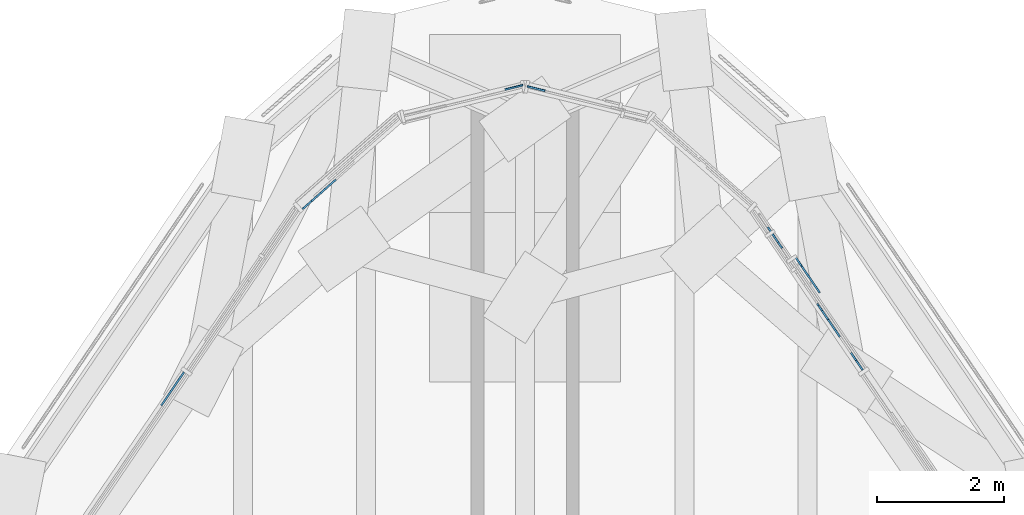
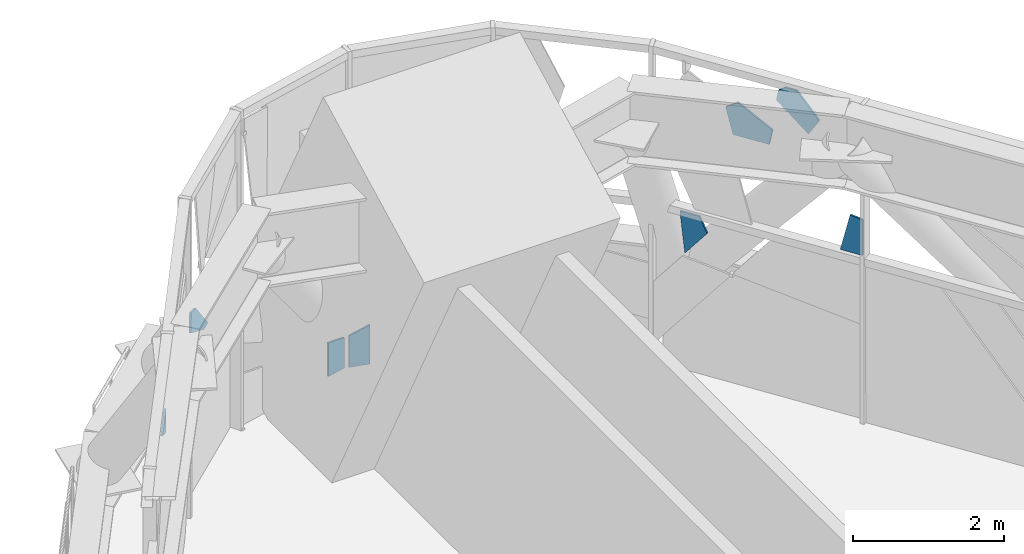
# One storey, part 24 of 43: 8 plates, 3 elements without a shape of their own.
"""IFC4 building model written with IfcOpenShell, lengths in metres."""

from ifc_helpers import new_model, si_unit, direction, frame, origin, place, context, subcontext, project, spatial, polyline, outline, extrude, material, layer, layer_set, type_object, element, aggregate, save


model = new_model("IFC4")

# Units and contexts
model_context = context("Model", 3, precision=1e-05, world=origin(), true_north=direction((0.0, 1.0)))
body_context = subcontext(model_context, "Body", "Model", "MODEL_VIEW")
ifc_project = project(units=[si_unit("LENGTHUNIT", "METRE"), si_unit("AREAUNIT", "SQUARE_METRE"), si_unit("VOLUMEUNIT", "CUBIC_METRE"), si_unit("PLANEANGLEUNIT", "RADIAN"), si_unit("MASSUNIT", "GRAM", prefix="KILO")], contexts=[model_context])

# Site, building, storey
site_placement = place(None, origin())
site = spatial("IfcSite", under=ifc_project, at=site_placement, CompositionType="ELEMENT")
building_placement = place(site_placement, origin())
building = spatial("IfcBuilding", under=site, at=building_placement, Name="Mestral Congress Tower", CompositionType="ELEMENT")
storey_placement = place(building_placement, frame((0.0, 0.0, 78.300048828125)))
storey = spatial("IfcBuildingStorey", under=building, at=storey_placement, Name="L18", CompositionType="ELEMENT", Elevation=78.300048828125)

# Curtain wall, plates
ifc_material_1 = material(Name="Clear low-emissivity double glazing", Category="glass")
curtain_wall_type = type_object("IfcCurtainWallType", Name="Facade refuge band screen", PredefinedType="USERDEFINED", material=ifc_material_1)
placement = place(storey_placement, origin())
curtain_wall_1 = element("IfcCurtainWall", 1, at=placement, inside=storey, type_object=curtain_wall_type, Name="Facade refuge band screen face 2", ObjectType="CURTAIN WALL", PredefinedType="USERDEFINED")
ifc_material_2 = material(Name="Anodised aluminium", Category="aluminium")
ifc_layer_1 = layer(ifc_material_2, 0.028076171875)
ifc_layer_set_1 = layer_set([ifc_layer_1], Name="Anodised aluminium")
plate_type_1 = type_object("IfcPlateType", Name="Facade refuge band screen brace cover panel", PredefinedType="CURTAIN_PANEL", material=ifc_layer_set_1)
plate_1_placement = place(storey_placement, frame((5.31787109375, 32.462890625, 2.659912109375), z_axis=(0.826760605477, 0.562550457566, 0.001970767386), x_axis=(-0.001574604802, -0.001189124141, 0.9999980533)))
plate_1 = element("IfcPlate", 2, at=plate_1_placement, type_object=plate_type_1, Name="Facade refuge band screen brace cover panel", PredefinedType="CURTAIN_PANEL", context=body_context, shape_type="SweptSolid", body=[
    extrude(outline(polyline([(0.0, 0.0), (0.5771497226055866, 1.3552527156068805e-20), (0.59983689539258, -0.18276588353384948), (-3.171680819435963e-05, -0.327540455565466), (0.0, 0.0)])), origin(), (0.0, 0.0, -1.0), 0.028076171875),
])
plate_2_placement = place(storey_placement, frame((4.616943359375, 33.7158203125, 3.93798828125), z_axis=(0.826740871924, 0.562579677659, 0.001907085236), x_axis=(0.105782194242, -0.158780205903, 0.981630772539)))
plate_2 = element("IfcPlate", 3, at=plate_2_placement, type_object=plate_type_1, Name="Facade refuge band screen brace cover panel", PredefinedType="CURTAIN_PANEL", context=body_context, shape_type="SweptSolid", body=[
    extrude(outline(polyline([(0.0, 0.0), (0.25020171086771653, 0.0), (0.44102799821632854, -0.5563229340636028), (0.2806551742664051, -0.7058176194640475), (-0.10147756859673066, -0.5221362762629215), (0.0, 0.0)])), origin(), (0.0, 0.0, -1.0), 0.028076171875),
])
plate_3_placement = place(storey_placement, frame((4.67724609375, 33.395751953125, 5.030029296875), z_axis=(0.826645609124, 0.562719649355, 0.001906081172), x_axis=(-0.454130343836, 0.669118486222, -0.588256816539)))
plate_3 = element("IfcPlate", 4, at=plate_3_placement, type_object=plate_type_1, Name="Facade refuge band screen brace cover panel", PredefinedType="CURTAIN_PANEL", context=body_context, shape_type="SweptSolid", body=[
    extrude(outline(polyline([(0.0, 0.0), (0.1236771672948853, 0.0), (0.24740011256602815, -0.11529382440970352), (0.10610717878053111, -0.7246687130940008), (-0.17450903341539226, -0.6099892799977313), (-0.13640707016227377, -0.09922751562547641), (0.0, 0.0)])), origin(), (0.0, 0.0, -1.0), 0.028076171875),
])

curtain_wall_2 = element("IfcCurtainWall", 5, at=placement, inside=storey, type_object=curtain_wall_type, Name="Facade refuge band screen corner 2", ObjectType="CURTAIN WALL", PredefinedType="USERDEFINED")
plate_4_placement = place(storey_placement, frame((0.03369140625, 36.926025390625, 0.0), z_axis=(0.238557522943, 0.971126349072, 0.001980501115), x_axis=(0.971128253622, -0.238557990889, 4.5565e-08)))
plate_4 = element("IfcPlate", 6, at=plate_4_placement, type_object=plate_type_1, Name="Facade refuge band screen brace cover panel", PredefinedType="CURTAIN_PANEL", context=body_context, shape_type="SweptSolid", body=[
    extrude(outline(polyline([(0.0, 0.0), (0.29061883071278305, -2.710505431213761e-20), (0.2906729761062084, -0.6313488812033357), (-4.102065917941682e-06, -0.504883815917424), (0.0, 0.0)])), origin(), (0.0, 0.0, -1.0), 0.028076171875),
])
plate_5_placement = place(storey_placement, frame((-0.038330078125, 36.944580078125, 0.491943359375), z_axis=(-0.238786288344, 0.97106971516, 0.002171819042), x_axis=(-0.955664400012, -0.235393769106, 0.176904855828)))
plate_5 = element("IfcPlate", 7, at=plate_5_placement, type_object=plate_type_1, Name="Facade refuge band screen brace cover panel", PredefinedType="CURTAIN_PANEL", context=body_context, shape_type="SweptSolid", body=[
    extrude(outline(polyline([(0.0, 0.0), (0.29533518304600226, 6.938893903907228e-18), (0.19901139689222797, -0.5355982029604721), (-0.08702372928945004, -0.48418606840027156), (0.0, 0.0)])), origin(), (0.0, 0.0, -1.0), 0.028076171875),
])
plate_6_placement = place(storey_placement, frame((-3.36865234375, 35.117919921875, 3.231689453125), z_axis=(-0.661524123672, 0.749921170503, 0.002017877967), x_axis=(-0.724329862264, -0.639641740703, 0.257302728675)))
plate_6 = element("IfcPlate", 8, at=plate_6_placement, type_object=plate_type_1, Name="Facade refuge band screen brace cover panel", PredefinedType="CURTAIN_PANEL", context=body_context, shape_type="SweptSolid", body=[
    extrude(outline(polyline([(0.0, 0.0), (0.19546197594235495, 0.0), (0.11083621332345536, -0.3172775640235003), (-0.48602331134243976, -0.4622881534723243), (-0.6416451572328208, -0.42085073705571635), (0.0, 0.0)])), origin(), (0.0, 0.0, -1.0), 0.028076171875),
])
aggregate(curtain_wall_2, [plate_4, plate_5, plate_6])

# Plate
ifc_layer_2 = layer(ifc_material_1, 0.028076171875)
ifc_layer_set_2 = layer_set([ifc_layer_2], Name="Clear low-emissivity double glazing")
plate_type_2 = type_object("IfcPlateType", Name="Facade refuge band screen panel", PredefinedType="CURTAIN_PANEL", material=ifc_layer_set_2)
plate_7_placement = place(storey_placement, frame((4.0517578125, 34.3779296875, 2.29638671875), z_axis=(0.826732619059, 0.562590902157, 0.002157172836), x_axis=(-0.239635343235, 0.348672111817, 0.906091971443)))
plate_7 = element("IfcPlate", 9, at=plate_7_placement, type_object=plate_type_2, Name="Refuge screen glass unit", PredefinedType="CURTAIN_PANEL", context=body_context, shape_type="SweptSolid", body=[
    extrude(outline(polyline([(0.0, 0.0), (0.2689046897099664, 0.0), (0.3900890830199886, -0.2595383132839669), (-0.23785894935008609, -0.4721644001917516), (0.0, 0.0)])), origin(), (0.0, 0.0, -1.0), 0.028076171875),
])

aggregate(curtain_wall_1, [plate_7, plate_1, plate_2, plate_3])

# Curtain wall, plate
curtain_wall_3 = element("IfcCurtainWall", 10, at=placement, inside=storey, type_object=curtain_wall_type, Name="Facade refuge band screen face 3", ObjectType="CURTAIN WALL", PredefinedType="USERDEFINED")
plate_8_placement = place(storey_placement, frame((-5.730712890625, 31.905029296875, 3.93798828125), z_axis=(-0.826673293276, 0.562677393092, 0.002327549817), x_axis=(0.4821475377, 0.710480963241, -0.512591994439)))
plate_8 = element("IfcPlate", 11, at=plate_8_placement, type_object=plate_type_2, Name="Refuge screen glass unit", PredefinedType="CURTAIN_PANEL", context=body_context, shape_type="SweptSolid", body=[
    extrude(outline(polyline([(0.0, 0.0), (0.7377677221415653, -5.551115123125783e-17), (0.5439250662092312, -0.3247171752159067), (0.0, 0.0)])), origin(), (0.0, 0.0, -1.0), 0.028076171875),
])
aggregate(curtain_wall_3, [plate_8])

save(model, "model.ifc")
